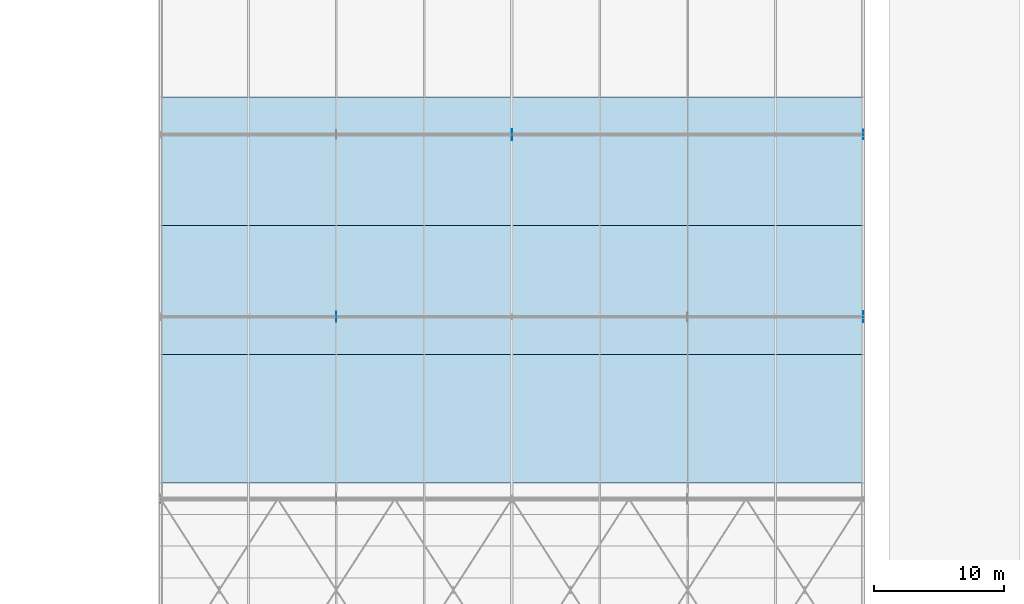
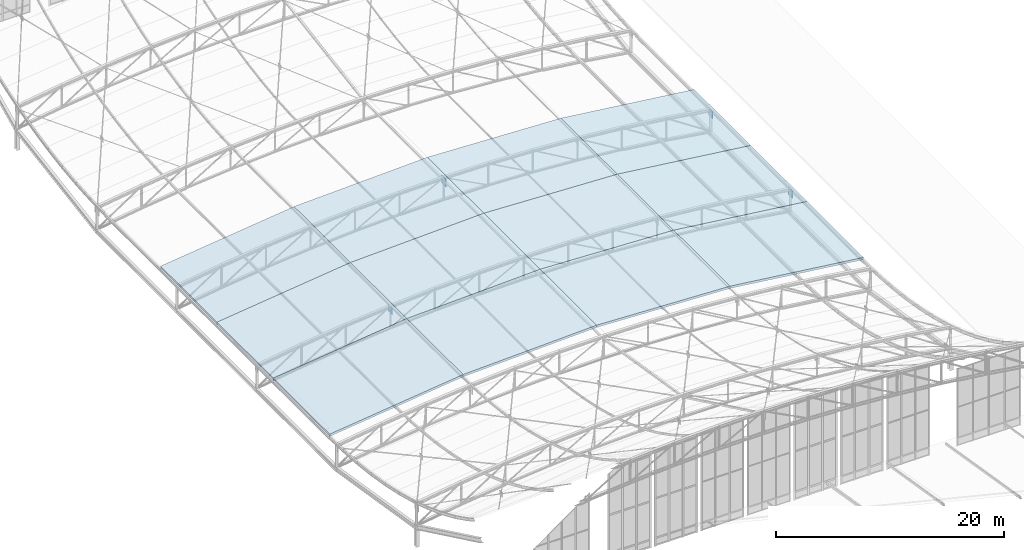
# One storey, part 231 of 262: 12 slabs, 4 plates.
"""IFC4 building model written with IfcOpenShell, lengths in metres."""

from ifc_helpers import new_model, si_unit, derived_unit, direction, frame, origin, origin_2d, place, context, subcontext, project, spatial, polyline, rectangle, outline, extrude, material, layer, layer_set, type_object, element, save


model = new_model("IFC4")

# Units and contexts
model_context = context("Model", 3, precision=1e-05, world=origin(), true_north=direction((0.0, 1.0)))
body_context = subcontext(model_context, "Body", "Model", "MODEL_VIEW")
ifc_project = project(units=[si_unit("LENGTHUNIT", "METRE"), si_unit("AREAUNIT", "SQUARE_METRE"), si_unit("VOLUMEUNIT", "CUBIC_METRE"), si_unit("PLANEANGLEUNIT", "RADIAN"), si_unit("MASSUNIT", "GRAM", prefix="KILO"), derived_unit("THERMALTRANSMITTANCEUNIT", [(si_unit("POWERUNIT", "WATT"), 1), (si_unit("LENGTHUNIT", "METRE"), -2), (si_unit("THERMODYNAMICTEMPERATUREUNIT", "KELVIN"), -1)])], contexts=[model_context])

# Site, building, storey
site_placement = place(None, origin())
site = spatial("IfcSite", under=ifc_project, at=site_placement, CompositionType="ELEMENT")
building_placement = place(site_placement, origin())
building = spatial("IfcBuilding", under=site, at=building_placement, Name="Almenara Railside Exhibition Hall", CompositionType="ELEMENT")
storey_placement = place(building_placement, frame((0.0, 0.0, 21.699951171875)))
storey = spatial("IfcBuildingStorey", under=building, at=storey_placement, Name="RF", CompositionType="ELEMENT", Elevation=21.699951171875)

# Slabs
ifc_material_1 = material(Name="Planted green roof insulated steel S355JR deck", Category="steel")
ifc_layer_1 = layer(ifc_material_1, 0.2451171875, Name="Planted green roof insulated steel S355JR deck")
ifc_layer_set_1 = layer_set([ifc_layer_1], Name="Planted green roof insulated steel S355JR deck")
slab_type = type_object("IfcSlabType", Name="Flat Planted Hall Roof Deck 245mm S355JR", PredefinedType="ROOF", material=ifc_layer_set_1)
slab_1_placement = place(storey_placement, frame((138.0, 63.240478515625, -6.85986328125), z_axis=(-0.121312355276, 0.0, 0.992614382556), x_axis=(0.992614382556, 0.0, 0.121312355276)))
element("IfcSlab", 1, at=slab_1_placement, inside=storey, type_object=slab_type, Name="V2 roof cassette RC-V2-13A", PredefinedType="ROOF", context=body_context, shape_type="SweptSolid", body=[
    extrude(outline(polyline([(0.0, 0.0), (13.600447703804157, 0.0), (13.600447703804157, 9.879638671875), (0.0, 9.879638671875), (0.0, 0.0)])), origin(), (0.0, 0.0, -1.0), 0.2451171875),
])
for number, where, z_axis, x_axis, name in (
    (2, (151.5, 63.240478515625, -5.2099609375), (-0.04071057978, 0.0, 0.99917098071), (0.99917098071, 0.0, 0.04071057978), "V2 roof cassette RC-V2-13B"),
    (3, (165.0, 63.240478515625, -4.659912109375), (0.04071057978, 0.0, 0.99917098071), (0.99917098071, 0.0, -0.04071057978), "V2 roof cassette RC-V2-13C"),
):
    element("IfcSlab", number, at=place(storey_placement, frame(where, z_axis=z_axis, x_axis=x_axis)), inside=storey, type_object=slab_type, Name=name, PredefinedType="ROOF", context=body_context, shape_type="SweptSolid", body=[
        extrude(outline(polyline([(0.0, 0.0), (13.511201046291989, 0.0), (13.511201046291989, 9.879638671875), (0.0, 9.879638671875), (0.0, 0.0)])), origin(), (0.0, 0.0, -1.0), 0.2451171875),
    ])
slab_2_placement = place(storey_placement, frame((178.5, 63.240478515625, -5.2099609375), z_axis=(0.121312355276, 0.0, 0.992614382556), x_axis=(0.992614382556, 0.0, -0.121312355276)))
element("IfcSlab", 4, at=slab_2_placement, inside=storey, type_object=slab_type, Name="V2 roof cassette RC-V2-13D", PredefinedType="ROOF", context=body_context, shape_type="SweptSolid", body=[
    extrude(outline(polyline([(0.0, 0.0), (13.600447703804157, 0.0), (13.600447703804157, 9.879638671875), (0.0, 9.879638671875), (0.0, 0.0)])), origin(), (0.0, 0.0, -1.0), 0.2451171875),
])
slab_3_placement = place(storey_placement, frame((138.0, 73.1201171875, -6.85986328125), z_axis=(-0.121312355276, 0.0, 0.992614382556), x_axis=(0.992614382556, 0.0, 0.121312355276)))
element("IfcSlab", 5, at=slab_3_placement, inside=storey, type_object=slab_type, Name="V2 roof cassette RC-V2-14A", PredefinedType="ROOF", context=body_context, shape_type="SweptSolid", body=[
    extrude(outline(polyline([(0.0, 0.0), (13.600447703804157, 0.0), (13.600447703804157, 9.8798828125), (0.0, 9.8798828125), (0.0, 0.0)])), origin(), (0.0, 0.0, -1.0), 0.2451171875),
])
for number, where, z_axis, x_axis, name in (
    (6, (151.5, 73.1201171875, -5.2099609375), (-0.04071057978, 0.0, 0.99917098071), (0.99917098071, 0.0, 0.04071057978), "V2 roof cassette RC-V2-14B"),
    (7, (165.0, 73.1201171875, -4.659912109375), (0.04071057978, 0.0, 0.99917098071), (0.99917098071, 0.0, -0.04071057978), "V2 roof cassette RC-V2-14C"),
):
    element("IfcSlab", number, at=place(storey_placement, frame(where, z_axis=z_axis, x_axis=x_axis)), inside=storey, type_object=slab_type, Name=name, PredefinedType="ROOF", context=body_context, shape_type="SweptSolid", body=[
        extrude(outline(polyline([(0.0, 0.0), (13.511201046291989, 0.0), (13.511201046291989, 9.8798828125), (0.0, 9.8798828125), (0.0, 0.0)])), origin(), (0.0, 0.0, -1.0), 0.2451171875),
    ])
for number, where, z_axis, x_axis, name in (
    (8, (178.5, 73.1201171875, -5.2099609375), (0.121312355276, 0.0, 0.992614382556), (0.992614382556, 0.0, -0.121312355276), "V2 roof cassette RC-V2-14D"),
    (9, (138.0, 83.0, -6.85986328125), (-0.121312355276, 0.0, 0.992614382556), (0.992614382556, 0.0, 0.121312355276), "V2 roof cassette RC-V2-15A"),
):
    element("IfcSlab", number, at=place(storey_placement, frame(where, z_axis=z_axis, x_axis=x_axis)), inside=storey, type_object=slab_type, Name=name, PredefinedType="ROOF", context=body_context, shape_type="SweptSolid", body=[
        extrude(outline(polyline([(0.0, 0.0), (13.600447703804157, 0.0), (13.600447703804157, 9.8798828125), (0.0, 9.8798828125), (0.0, 0.0)])), origin(), (0.0, 0.0, -1.0), 0.2451171875),
    ])
for number, where, z_axis, x_axis, name in (
    (10, (151.5, 83.0, -5.2099609375), (-0.04071057978, 0.0, 0.99917098071), (0.99917098071, 0.0, 0.04071057978), "V2 roof cassette RC-V2-15B"),
    (11, (165.0, 83.0, -4.659912109375), (0.04071057978, 0.0, 0.99917098071), (0.99917098071, 0.0, -0.04071057978), "V2 roof cassette RC-V2-15C"),
):
    element("IfcSlab", number, at=place(storey_placement, frame(where, z_axis=z_axis, x_axis=x_axis)), inside=storey, type_object=slab_type, Name=name, PredefinedType="ROOF", context=body_context, shape_type="SweptSolid", body=[
        extrude(outline(polyline([(0.0, 0.0), (13.511201046291989, 0.0), (13.511201046291989, 9.8798828125), (0.0, 9.8798828125), (0.0, 0.0)])), origin(), (0.0, 0.0, -1.0), 0.2451171875),
    ])
slab_4_placement = place(storey_placement, frame((178.5, 83.0, -5.2099609375), z_axis=(0.121312355276, 0.0, 0.992614382556), x_axis=(0.992614382556, 0.0, -0.121312355276)))
element("IfcSlab", 12, at=slab_4_placement, inside=storey, type_object=slab_type, Name="V2 roof cassette RC-V2-15D", PredefinedType="ROOF", context=body_context, shape_type="SweptSolid", body=[
    extrude(outline(polyline([(0.0, 0.0), (13.600447703804157, 0.0), (13.600447703804157, 9.8798828125), (0.0, 9.8798828125), (0.0, 0.0)])), origin(), (0.0, 0.0, -1.0), 0.2451171875),
])

# Plates
ifc_material_2 = material(Name="Structural steel S355JR", Category="steel")
ifc_layer_2 = layer(ifc_material_2, 0.02392578125, Name="Structural steel S355JR")
ifc_layer_set_2 = layer_set([ifc_layer_2], Name="Structural steel S355JR")
plate_type_1 = type_object("IfcPlateType", Name="Truss Node Gusset Plate 24mm S355JR", PredefinedType="USERDEFINED", material=ifc_layer_set_2)
for number, where, z_axis, x_axis, name in (
    (13, (151.5, 76.0, -6.375), (0.0, 0.0, 1.0), (0.0, 1.0, 0.0), "PLT-GUS-0129"),
    (14, (192.0, 90.0, -8.02490234375), (0.0, 0.0, 1.0), (0.0, 1.0, 0.0), "PLT-GUS-0137"),
):
    element("IfcPlate", number, at=place(storey_placement, frame(where, z_axis=z_axis, x_axis=x_axis)), inside=storey, type_object=plate_type_1, Name=name, ObjectType="GUSSET_PLATE", PredefinedType="USERDEFINED", context=body_context, shape_type="SweptSolid", body=[
        extrude(rectangle(XDim=0.75, YDim=0.02392578125, at=origin_2d()), origin(), (0.0, 0.0, 1.0), 0.75),
    ])
ifc_layer_3 = layer(ifc_material_2, 0.028076171875, Name="Structural steel S355JR")
ifc_layer_set_3 = layer_set([ifc_layer_3], Name="Structural steel S355JR")
plate_type_2 = type_object("IfcPlateType", Name="Truss Node Gusset Plate 28mm S355JR", PredefinedType="USERDEFINED", material=ifc_layer_set_3)
for number, where, z_axis, x_axis, name in (
    (15, (192.0, 76.0, -8.074951171875), (0.0, 0.0, 1.0), (0.0, 1.0, 0.0), "PLT-GUS-0132"),
    (16, (165.0, 90.0, -5.875), (0.0, 0.0, 1.0), (0.0, 1.0, 0.0), "PLT-GUS-0135"),
):
    element("IfcPlate", number, at=place(storey_placement, frame(where, z_axis=z_axis, x_axis=x_axis)), inside=storey, type_object=plate_type_2, Name=name, ObjectType="GUSSET_PLATE", PredefinedType="USERDEFINED", context=body_context, shape_type="SweptSolid", body=[
        extrude(rectangle(XDim=0.85009765625, YDim=0.028076171875, at=origin_2d()), origin(), (0.0, 0.0, 1.0), 0.85009765625),
    ])

save(model, "model.ifc")
